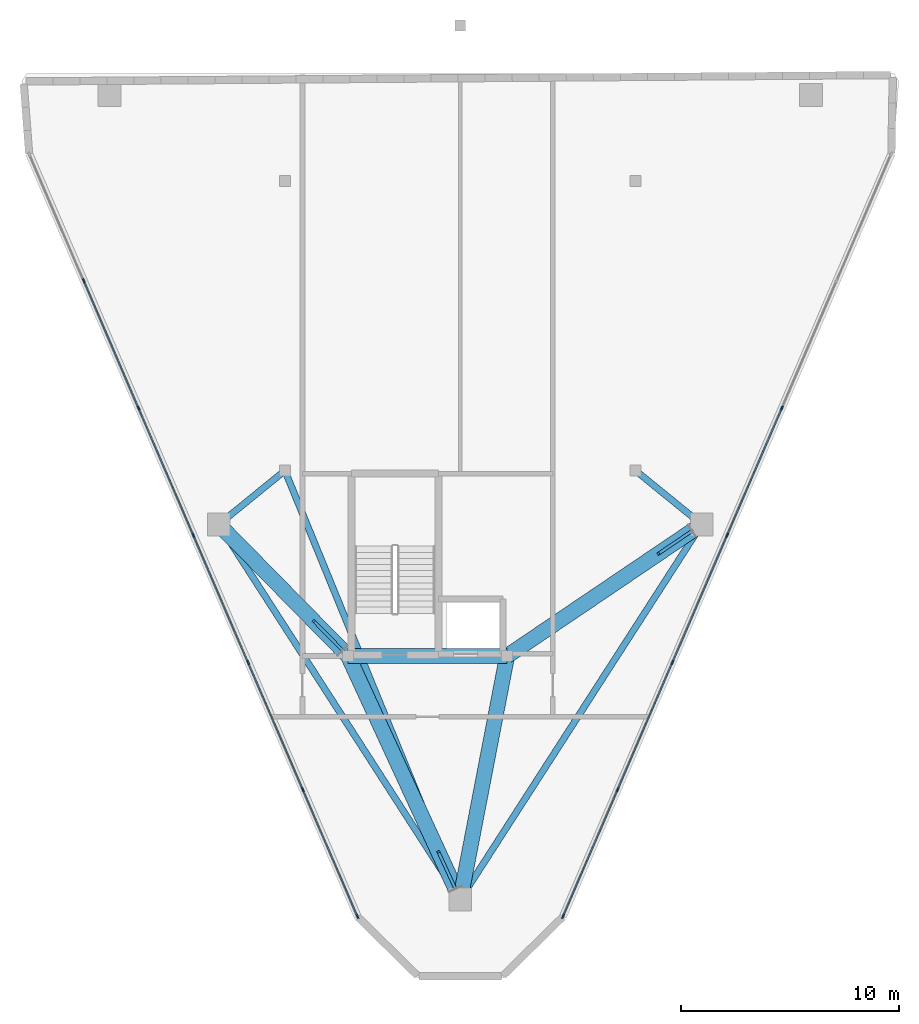
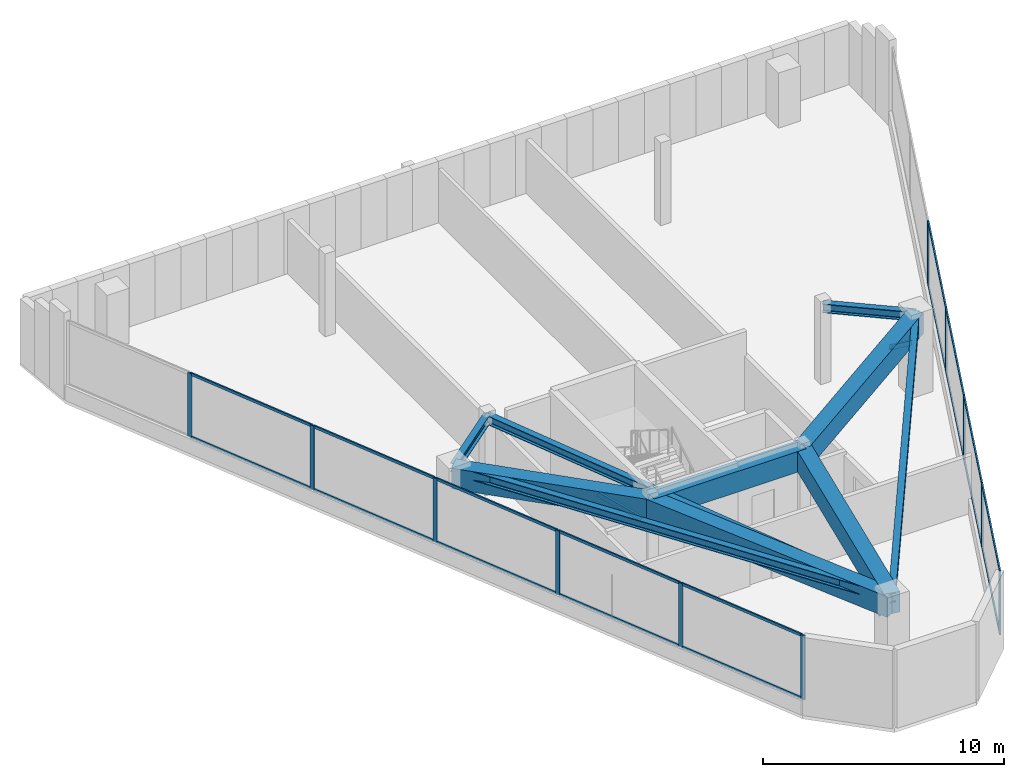
# One storey, part 2 of 7: 32 members, 10 beams, 2 elements without a shape of their own.
"""IFC4 building model written with IfcOpenShell, lengths in metres."""

from ifc_helpers import new_model, si_unit, direction, frame, origin, origin_2d, place, context, subcontext, project, spatial, rectangle, hollow_rectangle, i_section, extrude, material, layer, layer_set, material_profile, profile_set, type_object, element, aggregate, save


model = new_model("IFC4")

# Units and contexts
model_context = context("Model", 3, precision=1e-05, world=origin(), true_north=direction((0.0, 1.0)))
body_context = subcontext(model_context, "Body", "Model", "MODEL_VIEW")
ifc_project = project(units=[si_unit("LENGTHUNIT", "METRE"), si_unit("AREAUNIT", "SQUARE_METRE"), si_unit("VOLUMEUNIT", "CUBIC_METRE"), si_unit("PLANEANGLEUNIT", "RADIAN"), si_unit("MASSUNIT", "GRAM", prefix="KILO")], contexts=[model_context])

# Site, building, storey
site_placement = place(None, origin())
site = spatial("IfcSite", under=ifc_project, at=site_placement, CompositionType="ELEMENT")
building_placement = place(site_placement, origin())
building = spatial("IfcBuilding", under=site, at=building_placement, Name="Talyreon Biosciences Tower", CompositionType="ELEMENT")
storey_placement = place(building_placement, frame((0.0, 0.0, 321.39990234375)))
storey = spatial("IfcBuildingStorey", under=building, at=storey_placement, Name="L85", CompositionType="ELEMENT", Elevation=321.39990234375)

# Curtain wall, members
ifc_material_1 = material(Name="Thermally broken aluminium and low-E glazing", Category="aluminium")
ifc_layer = layer(ifc_material_1, 0.2099609375)
ifc_layer_set = layer_set([ifc_layer], Name="Thermally broken aluminium and low-E glazing")
curtain_wall_type = type_object("IfcCurtainWallType", Name="CurtainWall_SlantedCrown", PredefinedType="NOTDEFINED", material=ifc_layer_set)
curtain_wall_1_placement = place(storey_placement, origin())
curtain_wall_1 = element("IfcCurtainWall", 1, at=curtain_wall_1_placement, inside=storey, type_object=curtain_wall_type, Name="L85 Unitised Curtain Wall FCW-L85-03C", PredefinedType="NOTDEFINED")
ifc_material_2 = material(Name="Anodised thermally broken aluminium", Category="aluminium")
ifc_material_profile_1 = material_profile(ifc_material_2, rectangle(XDim=0.074951171875, YDim=0.2099609375, at=origin_2d()), Name="ALUM MULLION 75x210")
ifc_profile_set_1 = profile_set([ifc_material_profile_1], Name="Anodised thermally broken aluminium")
member_type_1 = type_object("IfcMemberType", Name="CWMullion_75x210", PredefinedType="MULLION", material=ifc_profile_set_1)
member_1_placement = place(storey_placement, frame((80.767822265625, 64.22021484375, 0.710205078125), z_axis=(0.0, 0.0, 1.0), x_axis=(0.918487228756, -0.395450642447, 0.0)))
member_1 = element("IfcMember", 2, at=member_1_placement, type_object=member_type_1, Name="CW8 mullion 3", PredefinedType="MULLION", context=body_context, shape_type="SweptSolid", body=[
    extrude(rectangle(XDim=0.074951171875, YDim=0.2099609375, at=origin_2d()), origin(), (0.0, 0.0, 1.0), 3.2548828125),
])
member_2_placement = place(storey_placement, frame((78.253173828125, 58.379150390625, 0.710205078125), z_axis=(0.0, 0.0, 1.0), x_axis=(0.918487228756, -0.395450642447, 0.0)))
member_2 = element("IfcMember", 3, at=member_2_placement, type_object=member_type_1, Name="CW8 mullion 4", PredefinedType="MULLION", context=body_context, shape_type="SweptSolid", body=[
    extrude(rectangle(XDim=0.074951171875, YDim=0.2099609375, at=origin_2d()), origin(), (0.0, 0.0, 1.0), 3.2548828125),
])
member_3_placement = place(storey_placement, frame((75.73828125, 52.538330078125, 0.710205078125), z_axis=(0.0, 0.0, 1.0), x_axis=(0.918487228756, -0.395450642447, 0.0)))
member_3 = element("IfcMember", 4, at=member_3_placement, type_object=member_type_1, Name="CW8 mullion 5", PredefinedType="MULLION", context=body_context, shape_type="SweptSolid", body=[
    extrude(rectangle(XDim=0.074951171875, YDim=0.2099609375, at=origin_2d()), origin(), (0.0, 0.0, 1.0), 3.2548828125),
])
member_4_placement = place(storey_placement, frame((73.2236328125, 46.697509765625, 0.710205078125), z_axis=(0.0, 0.0, 1.0), x_axis=(0.918487228756, -0.395450642447, 0.0)))
member_4 = element("IfcMember", 5, at=member_4_placement, type_object=member_type_1, Name="CW8 mullion 6", PredefinedType="MULLION", context=body_context, shape_type="SweptSolid", body=[
    extrude(rectangle(XDim=0.074951171875, YDim=0.2099609375, at=origin_2d()), origin(), (0.0, 0.0, 1.0), 3.2548828125),
])
member_5_placement = place(storey_placement, frame((70.7236328125, 40.89111328125, 0.710205078125), z_axis=(0.0, 0.0, 1.0), x_axis=(0.918487228756, -0.395450642447, 0.0)))
member_5 = element("IfcMember", 6, at=member_5_placement, type_object=member_type_1, Name="CW8 mullion 7", PredefinedType="MULLION", context=body_context, shape_type="SweptSolid", body=[
    extrude(rectangle(XDim=0.074951171875, YDim=0.2099609375, at=origin_2d()), origin(), (0.0, 0.0, 1.0), 3.2548828125),
])

curtain_wall_2_placement = place(storey_placement, origin())
curtain_wall_2 = element("IfcCurtainWall", 7, at=curtain_wall_2_placement, inside=storey, type_object=curtain_wall_type, Name="L85 Unitised Curtain Wall FCW-L85-07C", PredefinedType="NOTDEFINED")
member_6_placement = place(storey_placement, frame((61.2763671875, 40.89111328125, 0.710205078125), z_axis=(0.0, 0.0, 1.0), x_axis=(-0.918487228756, -0.395450642447, 0.0)))
member_6 = element("IfcMember", 8, at=member_6_placement, type_object=member_type_1, Name="CW8 mullion 1", PredefinedType="MULLION", context=body_context, shape_type="SweptSolid", body=[
    extrude(rectangle(XDim=0.074951171875, YDim=0.2099609375, at=origin_2d()), origin(), (0.0, 0.0, 1.0), 3.2548828125),
])
member_7_placement = place(storey_placement, frame((58.7763671875, 46.697509765625, 0.710205078125), z_axis=(0.0, 0.0, 1.0), x_axis=(-0.918487228756, -0.395450642447, 0.0)))
member_7 = element("IfcMember", 9, at=member_7_placement, type_object=member_type_1, Name="CW8 mullion 2", PredefinedType="MULLION", context=body_context, shape_type="SweptSolid", body=[
    extrude(rectangle(XDim=0.074951171875, YDim=0.2099609375, at=origin_2d()), origin(), (0.0, 0.0, 1.0), 3.2548828125),
])
member_8_placement = place(storey_placement, frame((56.26171875, 52.538330078125, 0.710205078125), z_axis=(0.0, 0.0, 1.0), x_axis=(-0.918487228756, -0.395450642447, 0.0)))
member_8 = element("IfcMember", 10, at=member_8_placement, type_object=member_type_1, Name="CW8 mullion 3", PredefinedType="MULLION", context=body_context, shape_type="SweptSolid", body=[
    extrude(rectangle(XDim=0.074951171875, YDim=0.2099609375, at=origin_2d()), origin(), (0.0, 0.0, 1.0), 3.2548828125),
])
member_9_placement = place(storey_placement, frame((53.746826171875, 58.379150390625, 0.710205078125), z_axis=(0.0, 0.0, 1.0), x_axis=(-0.918487228756, -0.395450642447, 0.0)))
member_9 = element("IfcMember", 11, at=member_9_placement, type_object=member_type_1, Name="CW8 mullion 4", PredefinedType="MULLION", context=body_context, shape_type="SweptSolid", body=[
    extrude(rectangle(XDim=0.074951171875, YDim=0.2099609375, at=origin_2d()), origin(), (0.0, 0.0, 1.0), 3.2548828125),
])
member_10_placement = place(storey_placement, frame((51.232177734375, 64.22021484375, 0.710205078125), z_axis=(0.0, 0.0, 1.0), x_axis=(-0.918487228756, -0.395450642447, 0.0)))
member_10 = element("IfcMember", 12, at=member_10_placement, type_object=member_type_1, Name="CW8 mullion 5", PredefinedType="MULLION", context=body_context, shape_type="SweptSolid", body=[
    extrude(rectangle(XDim=0.074951171875, YDim=0.2099609375, at=origin_2d()), origin(), (0.0, 0.0, 1.0), 3.2548828125),
])
member_11_placement = place(storey_placement, frame((48.71728515625, 70.06103515625, 0.710205078125), z_axis=(0.0, 0.0, 1.0), x_axis=(-0.918487228756, -0.395450642447, 0.0)))
member_11 = element("IfcMember", 13, at=member_11_placement, type_object=member_type_1, Name="CW8 mullion 6", PredefinedType="MULLION", context=body_context, shape_type="SweptSolid", body=[
    extrude(rectangle(XDim=0.074951171875, YDim=0.2099609375, at=origin_2d()), origin(), (0.0, 0.0, 1.0), 3.2548828125),
])

# Member
ifc_material_profile_2 = material_profile(ifc_material_2, rectangle(XDim=0.06494140625, YDim=0.139892578125, at=origin_2d()), Name="ALUM TRANSOM 65x140")
ifc_profile_set_2 = profile_set([ifc_material_profile_2], Name="Anodised thermally broken aluminium")
member_type_2 = type_object("IfcMemberType", Name="CWTransom_65x140", PredefinedType="USERDEFINED", material=ifc_profile_set_2)
member_12_placement = place(storey_placement, frame((80.7529296875, 64.185791015625, 0.74267578125), z_axis=(-0.395437866988, -0.918492729069, 0.0), x_axis=(0.918492729069, -0.395437866988, 0.0)))
member_12 = element("IfcMember", 14, at=member_12_placement, type_object=member_type_2, Name="CW8 transom 3.1", ObjectType="TRANSOM", PredefinedType="USERDEFINED", context=body_context, shape_type="SweptSolid", body=[
    extrude(rectangle(XDim=0.06494140625, YDim=0.139892578125, at=origin_2d()), origin(), (0.0, 0.0, 1.0), 6.284423828125),
])

member_13_placement = place(storey_placement, frame((80.7529296875, 64.185791015625, 3.9326171875), z_axis=(-0.395437866988, -0.918492729069, 0.0), x_axis=(0.918492729069, -0.395437866988, 0.0)))
member_13 = element("IfcMember", 15, at=member_13_placement, type_object=member_type_2, Name="CW8 transom 3.2", ObjectType="TRANSOM", PredefinedType="USERDEFINED", context=body_context, shape_type="SweptSolid", body=[
    extrude(rectangle(XDim=0.06494140625, YDim=0.139892578125, at=origin_2d()), origin(), (0.0, 0.0, 1.0), 6.284423828125),
])

member_14_placement = place(storey_placement, frame((78.23828125, 58.3447265625, 0.74267578125), z_axis=(-0.395451977448, -0.918486653976, 0.0), x_axis=(0.918486653976, -0.395451977448, 0.0)))
member_14 = element("IfcMember", 16, at=member_14_placement, type_object=member_type_2, Name="CW8 transom 4.1", ObjectType="TRANSOM", PredefinedType="USERDEFINED", context=body_context, shape_type="SweptSolid", body=[
    extrude(rectangle(XDim=0.06494140625, YDim=0.139892578125, at=origin_2d()), origin(), (0.0, 0.0, 1.0), 6.2841796875),
])

member_15_placement = place(storey_placement, frame((78.23828125, 58.3447265625, 3.9326171875), z_axis=(-0.395451977448, -0.918486653976, 0.0), x_axis=(0.918486653976, -0.395451977448, 0.0)))
member_15 = element("IfcMember", 17, at=member_15_placement, type_object=member_type_2, Name="CW8 transom 4.2", ObjectType="TRANSOM", PredefinedType="USERDEFINED", context=body_context, shape_type="SweptSolid", body=[
    extrude(rectangle(XDim=0.06494140625, YDim=0.139892578125, at=origin_2d()), origin(), (0.0, 0.0, 1.0), 6.2841796875),
])

member_16_placement = place(storey_placement, frame((75.723388671875, 52.50390625, 0.74267578125), z_axis=(-0.395451977448, -0.918486653976, 0.0), x_axis=(0.918486653976, -0.395451977448, 0.0)))
member_16 = element("IfcMember", 18, at=member_16_placement, type_object=member_type_2, Name="CW8 transom 5.1", ObjectType="TRANSOM", PredefinedType="USERDEFINED", context=body_context, shape_type="SweptSolid", body=[
    extrude(rectangle(XDim=0.06494140625, YDim=0.139892578125, at=origin_2d()), origin(), (0.0, 0.0, 1.0), 6.2841796875),
])

member_17_placement = place(storey_placement, frame((75.723388671875, 52.50390625, 3.9326171875), z_axis=(-0.395451977448, -0.918486653976, 0.0), x_axis=(0.918486653976, -0.395451977448, 0.0)))
member_17 = element("IfcMember", 19, at=member_17_placement, type_object=member_type_2, Name="CW8 transom 5.2", ObjectType="TRANSOM", PredefinedType="USERDEFINED", context=body_context, shape_type="SweptSolid", body=[
    extrude(rectangle(XDim=0.06494140625, YDim=0.139892578125, at=origin_2d()), origin(), (0.0, 0.0, 1.0), 6.2841796875),
])

member_18_placement = place(storey_placement, frame((73.208740234375, 46.6630859375, 0.74267578125), z_axis=(-0.395442322604, -0.918490810784, 0.0), x_axis=(0.918490810784, -0.395442322604, 0.0)))
member_18 = element("IfcMember", 20, at=member_18_placement, type_object=member_type_2, Name="CW8 transom 6.1", ObjectType="TRANSOM", PredefinedType="USERDEFINED", context=body_context, shape_type="SweptSolid", body=[
    extrude(rectangle(XDim=0.06494140625, YDim=0.139892578125, at=origin_2d()), origin(), (0.0, 0.0, 1.0), 6.246826171875),
])

member_19_placement = place(storey_placement, frame((73.208740234375, 46.6630859375, 3.9326171875), z_axis=(-0.395442322604, -0.918490810784, 0.0), x_axis=(0.918490810784, -0.395442322604, 0.0)))
member_19 = element("IfcMember", 21, at=member_19_placement, type_object=member_type_2, Name="CW8 transom 6.2", ObjectType="TRANSOM", PredefinedType="USERDEFINED", context=body_context, shape_type="SweptSolid", body=[
    extrude(rectangle(XDim=0.06494140625, YDim=0.139892578125, at=origin_2d()), origin(), (0.0, 0.0, 1.0), 6.246826171875),
])

aggregate(curtain_wall_1, [member_1, member_2, member_3, member_4, member_5, member_12, member_13, member_14, member_15, member_16, member_17, member_18, member_19])

member_20_placement = place(storey_placement, frame((61.261474609375, 40.925537109375, 0.74267578125), z_axis=(-0.395442322604, 0.918490810784, 0.0), x_axis=(-0.918490810784, -0.395442322604, 0.0)))
member_20 = element("IfcMember", 22, at=member_20_placement, type_object=member_type_2, Name="CW8 transom 1.1", ObjectType="TRANSOM", PredefinedType="USERDEFINED", context=body_context, shape_type="SweptSolid", body=[
    extrude(rectangle(XDim=0.06494140625, YDim=0.139892578125, at=origin_2d()), origin(), (0.0, 0.0, 1.0), 6.246826171875),
])

member_21_placement = place(storey_placement, frame((61.261474609375, 40.925537109375, 3.9326171875), z_axis=(-0.395442322604, 0.918490810784, 0.0), x_axis=(-0.918490810784, -0.395442322604, 0.0)))
member_21 = element("IfcMember", 23, at=member_21_placement, type_object=member_type_2, Name="CW8 transom 1.2", ObjectType="TRANSOM", PredefinedType="USERDEFINED", context=body_context, shape_type="SweptSolid", body=[
    extrude(rectangle(XDim=0.06494140625, YDim=0.139892578125, at=origin_2d()), origin(), (0.0, 0.0, 1.0), 6.246826171875),
])

member_22_placement = place(storey_placement, frame((58.76171875, 46.73193359375, 0.74267578125), z_axis=(-0.395451977448, 0.918486653976, 0.0), x_axis=(-0.918486653976, -0.395451977448, 0.0)))
member_22 = element("IfcMember", 24, at=member_22_placement, type_object=member_type_2, Name="CW8 transom 2.1", ObjectType="TRANSOM", PredefinedType="USERDEFINED", context=body_context, shape_type="SweptSolid", body=[
    extrude(rectangle(XDim=0.06494140625, YDim=0.139892578125, at=origin_2d()), origin(), (0.0, 0.0, 1.0), 6.2841796875),
])

member_23_placement = place(storey_placement, frame((58.76171875, 46.73193359375, 3.9326171875), z_axis=(-0.395451977448, 0.918486653976, 0.0), x_axis=(-0.918486653976, -0.395451977448, 0.0)))
member_23 = element("IfcMember", 25, at=member_23_placement, type_object=member_type_2, Name="CW8 transom 2.2", ObjectType="TRANSOM", PredefinedType="USERDEFINED", context=body_context, shape_type="SweptSolid", body=[
    extrude(rectangle(XDim=0.06494140625, YDim=0.139892578125, at=origin_2d()), origin(), (0.0, 0.0, 1.0), 6.2841796875),
])

member_24_placement = place(storey_placement, frame((56.246826171875, 52.57275390625, 0.74267578125), z_axis=(-0.395451977448, 0.918486653976, 0.0), x_axis=(-0.918486653976, -0.395451977448, 0.0)))
member_24 = element("IfcMember", 26, at=member_24_placement, type_object=member_type_2, Name="CW8 transom 3.1", ObjectType="TRANSOM", PredefinedType="USERDEFINED", context=body_context, shape_type="SweptSolid", body=[
    extrude(rectangle(XDim=0.06494140625, YDim=0.139892578125, at=origin_2d()), origin(), (0.0, 0.0, 1.0), 6.2841796875),
])

member_25_placement = place(storey_placement, frame((56.246826171875, 52.57275390625, 3.9326171875), z_axis=(-0.395451977448, 0.918486653976, 0.0), x_axis=(-0.918486653976, -0.395451977448, 0.0)))
member_25 = element("IfcMember", 27, at=member_25_placement, type_object=member_type_2, Name="CW8 transom 3.2", ObjectType="TRANSOM", PredefinedType="USERDEFINED", context=body_context, shape_type="SweptSolid", body=[
    extrude(rectangle(XDim=0.06494140625, YDim=0.139892578125, at=origin_2d()), origin(), (0.0, 0.0, 1.0), 6.2841796875),
])

member_26_placement = place(storey_placement, frame((53.732177734375, 58.41357421875, 0.74267578125), z_axis=(-0.395437866988, 0.918492729069, 0.0), x_axis=(-0.918492729069, -0.395437866988, 0.0)))
member_26 = element("IfcMember", 28, at=member_26_placement, type_object=member_type_2, Name="CW8 transom 4.1", ObjectType="TRANSOM", PredefinedType="USERDEFINED", context=body_context, shape_type="SweptSolid", body=[
    extrude(rectangle(XDim=0.06494140625, YDim=0.139892578125, at=origin_2d()), origin(), (0.0, 0.0, 1.0), 6.284423828125),
])

member_27_placement = place(storey_placement, frame((53.732177734375, 58.41357421875, 3.9326171875), z_axis=(-0.395437866988, 0.918492729069, 0.0), x_axis=(-0.918492729069, -0.395437866988, 0.0)))
member_27 = element("IfcMember", 29, at=member_27_placement, type_object=member_type_2, Name="CW8 transom 4.2", ObjectType="TRANSOM", PredefinedType="USERDEFINED", context=body_context, shape_type="SweptSolid", body=[
    extrude(rectangle(XDim=0.06494140625, YDim=0.139892578125, at=origin_2d()), origin(), (0.0, 0.0, 1.0), 6.284423828125),
])

member_28_placement = place(storey_placement, frame((51.21728515625, 64.254638671875, 0.74267578125), z_axis=(-0.395451977448, 0.918486653976, 0.0), x_axis=(-0.918486653976, -0.395451977448, 0.0)))
member_28 = element("IfcMember", 30, at=member_28_placement, type_object=member_type_2, Name="CW8 transom 5.1", ObjectType="TRANSOM", PredefinedType="USERDEFINED", context=body_context, shape_type="SweptSolid", body=[
    extrude(rectangle(XDim=0.06494140625, YDim=0.139892578125, at=origin_2d()), origin(), (0.0, 0.0, 1.0), 6.2841796875),
])

member_29_placement = place(storey_placement, frame((51.21728515625, 64.254638671875, 3.9326171875), z_axis=(-0.395451977448, 0.918486653976, 0.0), x_axis=(-0.918486653976, -0.395451977448, 0.0)))
member_29 = element("IfcMember", 31, at=member_29_placement, type_object=member_type_2, Name="CW8 transom 5.2", ObjectType="TRANSOM", PredefinedType="USERDEFINED", context=body_context, shape_type="SweptSolid", body=[
    extrude(rectangle(XDim=0.06494140625, YDim=0.139892578125, at=origin_2d()), origin(), (0.0, 0.0, 1.0), 6.2841796875),
])

aggregate(curtain_wall_2, [member_6, member_7, member_8, member_9, member_10, member_11, member_20, member_21, member_22, member_23, member_24, member_25, member_26, member_27, member_28, member_29])

# Members
ifc_material_3 = material(Name="Steel SM355", Category="steel")
ifc_material_profile_3 = material_profile(ifc_material_3, hollow_rectangle(XDim=0.139892578125, YDim=0.219970703125, WallThickness=0.010009765625, at=origin_2d()), Name="RHS 220x140x10")
ifc_profile_set_3 = profile_set([ifc_material_profile_3], Name="Steel SM355")
member_type_3 = type_object("IfcMemberType", Name="LoggiaStrut_RHS220x140", PredefinedType="STRUT", material=ifc_profile_set_3)
for number, where, z_axis, x_axis, name in (
    (32, (65.778076171875, 42.148193359375, 2.68017578125), (-0.374399850664, 0.812328559331, 0.447154406797), (-0.908180892423, -0.418577909878, 0.0), "L85 Crown Knee-Brace Strut 01"),
    (33, (76.647216796875, 58.58349609375, 2.68017578125), (-0.741077678393, -0.500863876872, 0.447145671378), (0.559961577943, -0.828518576272, 0.0), "L85 Crown Knee-Brace Strut 02"),
):
    element("IfcMember", number, at=place(storey_placement, frame(where, z_axis=z_axis, x_axis=x_axis)), inside=storey, type_object=member_type_3, Name=name, PredefinedType="STRUT", context=body_context, shape_type="SweptSolid", body=[
        extrude(hollow_rectangle(XDim=0.139892578125, YDim=0.219970703125, WallThickness=0.010009765625, at=origin_2d()), origin(), (0.0, 0.0, 1.0), 2.090576171875),
    ])
member_30_placement = place(storey_placement, frame((60.59765625, 53.0966796875, 2.68017578125), z_axis=(-0.628238207295, 0.639353369091, 0.443332859516), x_axis=(-0.713279784307, -0.700879411382, 0.0)))
element("IfcMember", 34, at=member_30_placement, inside=storey, type_object=member_type_3, Name="L85 Crown Knee-Brace Strut 03", PredefinedType="STRUT", context=body_context, shape_type="SweptSolid", body=[
    extrude(hollow_rectangle(XDim=0.139892578125, YDim=0.219970703125, WallThickness=0.010009765625, at=origin_2d()), origin(), (0.0, 0.0, 1.0), 2.108642578125),
])

# Beams
ifc_material_profile_4 = material_profile(ifc_material_3, i_section(OverallWidth=0.300048828125, OverallDepth=0.449951171875, WebThickness=0.013916015625, FlangeThickness=0.02587890625, FilletRadius=0.027099609375, at=origin_2d()), Name="HE450B")
ifc_profile_set_4 = profile_set([ifc_material_profile_4], Name="Steel SM355")
beam_type_1 = type_object("IfcBeamType", Name="SteelBeam_HE450B", PredefinedType="BEAM", material=ifc_profile_set_4)
for number, where, z_axis, x_axis, name in (
    (35, (66.0, 41.6669921875, 3.739990234375), (0.541463723609, 0.840724114092, 0.0), (-0.840724114092, 0.541463723609, 0.0), "L85 Mega-Ring Girder 1"),
    (36, (54.913818359375, 58.88037109375, 3.739990234375), (0.541463723609, -0.840724114092, 0.0), (0.840724114092, 0.541463723609, 0.0), "L85 Mega-Ring Girder 6"),
):
    element("IfcBeam", number, at=place(storey_placement, frame(where, z_axis=z_axis, x_axis=x_axis)), inside=storey, type_object=beam_type_1, Name=name, PredefinedType="BEAM", context=body_context, shape_type="SweptSolid", body=[
        extrude(i_section(OverallWidth=0.300048828125, OverallDepth=0.449951171875, WebThickness=0.013916015625, FlangeThickness=0.02587890625, FilletRadius=0.027099609375, at=origin_2d()), origin(), (0.0, 0.0, 1.0), 20.474365234375),
    ])
beam_1_placement = place(storey_placement, frame((57.949951171875, 61.35009765625, 3.739990234375), z_axis=(0.378547014545, -0.925582064314, 0.0), x_axis=(0.925582064314, 0.378547014545, 0.0)))
element("IfcBeam", 37, at=beam_1_placement, inside=storey, type_object=beam_type_1, Name="L85 Radial Primary Girder 1", PredefinedType="BEAM", context=body_context, shape_type="SweptSolid", body=[
    extrude(i_section(OverallWidth=0.300048828125, OverallDepth=0.449951171875, WebThickness=0.013916015625, FlangeThickness=0.02587890625, FilletRadius=0.027099609375, at=origin_2d()), origin(), (0.0, 0.0, 1.0), 21.265625),
])
for number, where, z_axis, x_axis, name in (
    (38, (74.050048828125, 61.35009765625, 3.739990234375), (0.775755154013, -0.631034025249, 0.0), (0.631034025249, 0.775755154013, 0.0), "L85 Radial Primary Girder 2"),
    (39, (57.949951171875, 61.35009765625, 3.739990234375), (-0.775755154013, -0.631034025249, 0.0), (0.631034025249, -0.775755154013, 0.0), "L85 Radial Primary Girder 6"),
):
    element("IfcBeam", number, at=place(storey_placement, frame(where, z_axis=z_axis, x_axis=x_axis)), inside=storey, type_object=beam_type_1, Name=name, PredefinedType="BEAM", context=body_context, shape_type="SweptSolid", body=[
        extrude(i_section(OverallWidth=0.300048828125, OverallDepth=0.449951171875, WebThickness=0.013916015625, FlangeThickness=0.02587890625, FilletRadius=0.027099609375, at=origin_2d()), origin(), (0.0, 0.0, 1.0), 3.913818359375),
    ])
ifc_material_4 = material(Name="Concrete C50/60", Category="concrete")
ifc_material_profile_5 = material_profile(ifc_material_4, rectangle(XDim=0.699951171875, YDim=1.050048828125, at=origin_2d()), Name="RCB 700x1050")
ifc_profile_set_5 = profile_set([ifc_material_profile_5], Name="Concrete C50/60")
beam_type_2 = type_object("IfcBeamType", Name="StepTransferSpandrel_700x1050", PredefinedType="SPANDREL", material=ifc_profile_set_5)
beam_2_placement = place(storey_placement, frame((60.85009765625, 52.840087890625, 3.440185546875), z_axis=(1.0, 0.0, 0.0), x_axis=(0.0, 1.0, 0.0)))
element("IfcBeam", 40, at=beam_2_placement, inside=storey, type_object=beam_type_2, Name="L85 Crown Shaft Spine Girder S", PredefinedType="SPANDREL", context=body_context, shape_type="SweptSolid", body=[
    extrude(rectangle(XDim=0.699951171875, YDim=1.050048828125, at=origin_2d()), origin(), (0.0, 0.0, 1.0), 7.2998046875),
])
beam_3_placement = place(storey_placement, frame((60.85009765625, 52.840087890625, 3.440185546875), z_axis=(0.41859502546, -0.908173003706, 0.0), x_axis=(0.908173003706, 0.41859502546, 0.0)))
element("IfcBeam", 41, at=beam_3_placement, inside=storey, type_object=beam_type_2, Name="L85 Crown Prow Tie Girder W", PredefinedType="SPANDREL", context=body_context, shape_type="SweptSolid", body=[
    extrude(rectangle(XDim=0.699951171875, YDim=1.050048828125, at=origin_2d()), origin(), (0.0, 0.0, 1.0), 12.302734375),
])
beam_4_placement = place(storey_placement, frame((68.14990234375, 52.840087890625, 3.440185546875), z_axis=(-0.188951648003, -0.981986392328, 0.0), x_axis=(0.981986392328, -0.188951648003, 0.0)))
element("IfcBeam", 42, at=beam_4_placement, inside=storey, type_object=beam_type_2, Name="L85 Crown Prow Tie Girder E", PredefinedType="SPANDREL", context=body_context, shape_type="SweptSolid", body=[
    extrude(rectangle(XDim=0.699951171875, YDim=1.050048828125, at=origin_2d()), origin(), (0.0, 0.0, 1.0), 11.378173828125),
])
beam_5_placement = place(storey_placement, frame((60.85009765625, 52.840087890625, 3.440185546875), z_axis=(-0.700939870305, 0.713220371426, 0.0), x_axis=(-0.713220371426, -0.700939870305, 0.0)))
element("IfcBeam", 43, at=beam_5_placement, inside=storey, type_object=beam_type_2, Name="L85 Crown Flank Girder MC6", PredefinedType="SPANDREL", context=body_context, shape_type="SweptSolid", body=[
    extrude(rectangle(XDim=0.699951171875, YDim=1.050048828125, at=origin_2d()), origin(), (0.0, 0.0, 1.0), 8.468994140625),
])
beam_6_placement = place(storey_placement, frame((68.14990234375, 52.840087890625, 3.440185546875), z_axis=(0.828491902441, 0.560001042491, 0.0), x_axis=(-0.560001042491, 0.828491902441, 0.0)))
element("IfcBeam", 44, at=beam_6_placement, inside=storey, type_object=beam_type_2, Name="L85 Crown Flank Girder MC4", PredefinedType="SPANDREL", context=body_context, shape_type="SweptSolid", body=[
    extrude(rectangle(XDim=0.699951171875, YDim=1.050048828125, at=origin_2d()), origin(), (0.0, 0.0, 1.0), 10.7861328125),
])

save(model, "model.ifc")
